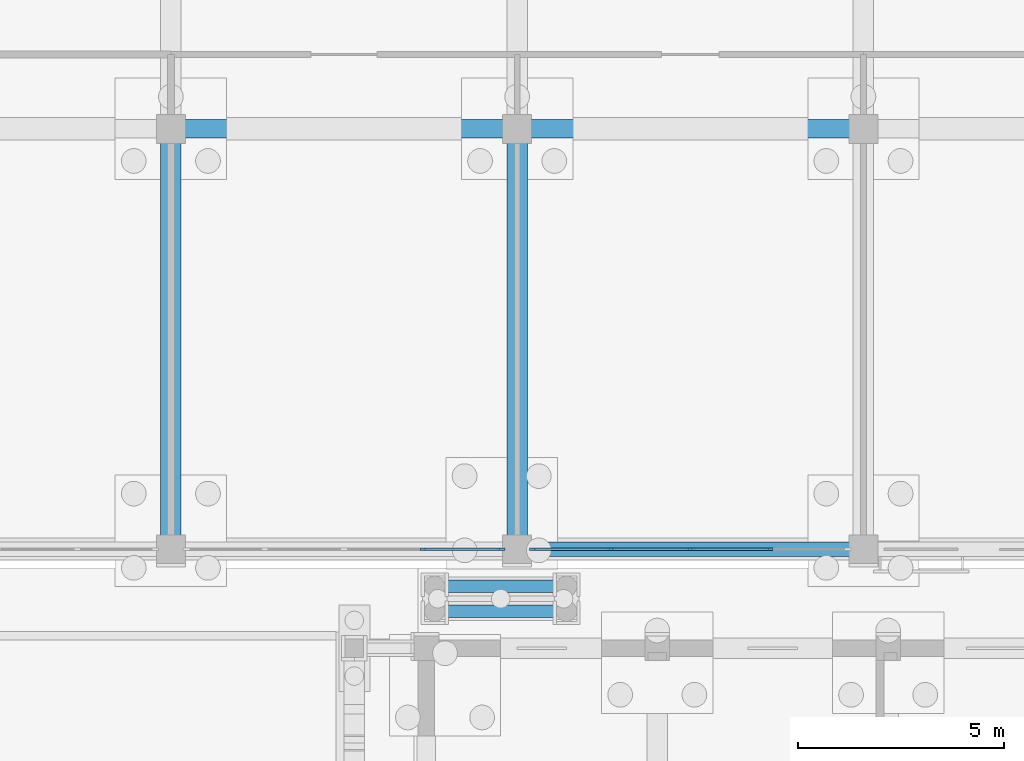
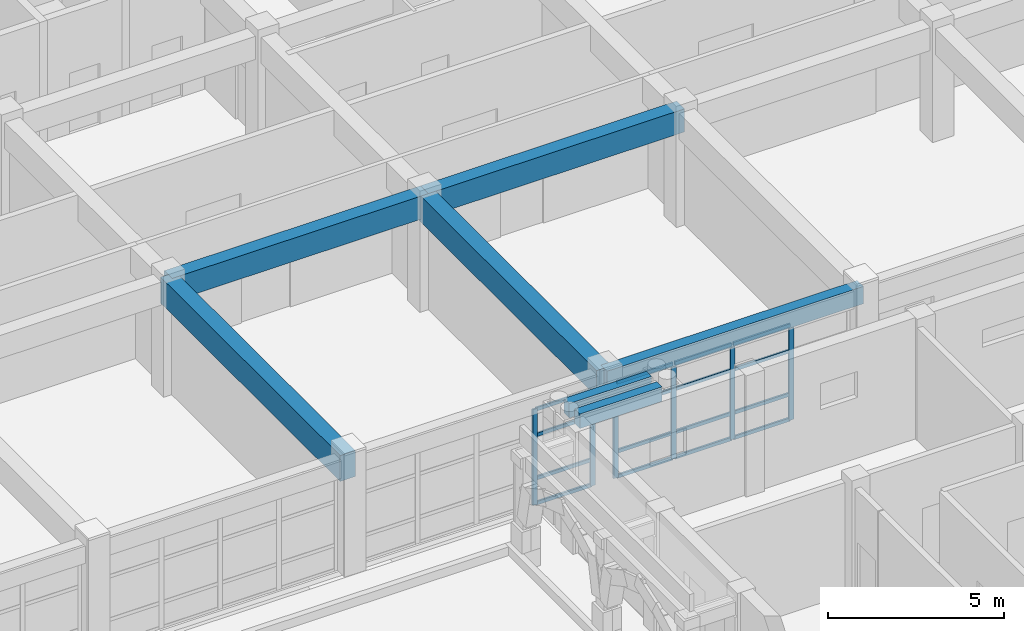
# One storey, part 38 of 112: 22 members, 7 beams, 2 elements without a shape of their own.
"""IFC4 building model written with IfcOpenShell, lengths in metres."""

from ifc_helpers import new_model, si_unit, direction, frame, origin, origin_2d, place, context, subcontext, project, spatial, rectangle, extrude, material, layer, layer_set, material_profile, profile_set, type_object, element, aggregate, save


model = new_model("IFC4")

# Units and contexts
model_context = context("Model", 3, precision=1e-05, world=origin(), true_north=direction((0.0, 1.0)))
body_context = subcontext(model_context, "Body", "Model", "MODEL_VIEW")
ifc_project = project(units=[si_unit("LENGTHUNIT", "METRE"), si_unit("AREAUNIT", "SQUARE_METRE"), si_unit("VOLUMEUNIT", "CUBIC_METRE"), si_unit("PLANEANGLEUNIT", "RADIAN"), si_unit("MASSUNIT", "GRAM", prefix="KILO")], contexts=[model_context])

# Site, building, storey
site_placement = place(None, origin())
site = spatial("IfcSite", under=ifc_project, at=site_placement, CompositionType="ELEMENT")
building_placement = place(site_placement, origin())
building = spatial("IfcBuilding", under=site, at=building_placement, Name="Wasatch Bagh Community Centre", CompositionType="ELEMENT")
storey_placement = place(building_placement, origin())
storey = spatial("IfcBuildingStorey", under=building, at=storey_placement, Name="L00", CompositionType="ELEMENT", Elevation=0.0)

# Beams
ifc_material_1 = material(Name="Concrete C35", Category="concrete")
ifc_material_profile_1 = material_profile(ifc_material_1, rectangle(XDim=0.35009765625, YDim=0.60009765625, at=origin_2d()), Name="RC 350x600")
ifc_profile_set_1 = profile_set([ifc_material_profile_1], Name="Concrete C35")
beam_type_1 = type_object("IfcBeamType", Name="LW RC 350x600", PredefinedType="BEAM", material=ifc_profile_set_1)
beam_1_placement = place(storey_placement, frame((114.39990234375, 68.199951171875, 3.6201171875), z_axis=(1.0, 0.0, 0.0), x_axis=(0.0, 1.0, 0.0)))
element("IfcBeam", 1, at=beam_1_placement, inside=storey, type_object=beam_type_1, Name="W7-W8Z", PredefinedType="BEAM", context=body_context, shape_type="SweptSolid", body=[
    extrude(rectangle(XDim=0.35009765625, YDim=0.60009765625, at=origin_2d()), origin(), (0.0, 0.0, 1.0), 8.400146484375),
])
ifc_material_profile_2 = material_profile(ifc_material_1, rectangle(XDim=0.449951171875, YDim=0.800048828125, at=origin_2d()), Name="RC 450x800")
ifc_profile_set_2 = profile_set([ifc_material_profile_2], Name="Concrete C35")
beam_type_2 = type_object("IfcBeamType", Name="LW RC 450x800", PredefinedType="BEAM", material=ifc_profile_set_2)
beam_2_placement = place(storey_placement, frame((106.0, 78.39990234375, 3.52001953125), z_axis=(1.0, 0.0, 0.0), x_axis=(0.0, 1.0, 0.0)))
element("IfcBeam", 2, at=beam_2_placement, inside=storey, type_object=beam_type_2, Name="W6-W7S", PredefinedType="BEAM", context=body_context, shape_type="SweptSolid", body=[
    extrude(rectangle(XDim=0.449951171875, YDim=0.800048828125, at=origin_2d()), origin(), (0.0, 0.0, 1.0), 8.39990234375),
])
beam_3_placement = place(storey_placement, frame((114.39990234375, 78.39990234375, 3.52001953125), z_axis=(1.0, 0.0, 0.0), x_axis=(0.0, 1.0, 0.0)))
element("IfcBeam", 3, at=beam_3_placement, inside=storey, type_object=beam_type_2, Name="W7-W8S", PredefinedType="BEAM", context=body_context, shape_type="SweptSolid", body=[
    extrude(rectangle(XDim=0.449951171875, YDim=0.800048828125, at=origin_2d()), origin(), (0.0, 0.0, 1.0), 8.400146484375),
])
ifc_material_profile_3 = material_profile(ifc_material_1, rectangle(XDim=0.5, YDim=0.89990234375, at=origin_2d()), Name="RC 500x900")
ifc_profile_set_3 = profile_set([ifc_material_profile_3], Name="Concrete C35")
beam_type_3 = type_object("IfcBeamType", Name="LW RC 500x900", PredefinedType="BEAM", material=ifc_profile_set_3)
for number, where, z_axis, x_axis, name in (
    (4, (106.0, 68.199951171875, 3.469970703125), (0.0, 1.0, 0.0), (-1.0, 0.0, 0.0), "W6Z-S"),
    (5, (114.39990234375, 68.199951171875, 3.469970703125), (0.0, 1.0, 0.0), (-1.0, 0.0, 0.0), "W7Z-S"),
):
    element("IfcBeam", number, at=place(storey_placement, frame(where, z_axis=z_axis, x_axis=x_axis)), inside=storey, type_object=beam_type_3, Name=name, PredefinedType="BEAM", context=body_context, shape_type="SweptSolid", body=[
        extrude(rectangle(XDim=0.5, YDim=0.89990234375, at=origin_2d()), origin(), (0.0, 0.0, 1.0), 10.199951171875),
    ])

# Curtain wall, members
ifc_material_2 = material(Name="Aluminium curtain wall frame with low-iron glass", Category="aluminium")
ifc_layer = layer(ifc_material_2, 0.139892578125)
ifc_layer_set = layer_set([ifc_layer], Name="Aluminium curtain wall frame with low-iron glass")
curtain_wall_type = type_object("IfcCurtainWallType", Name="LW terrace front curtain wall 140", PredefinedType="NOTDEFINED", material=ifc_layer_set)
curtain_wall_1_placement = place(storey_placement, origin())
curtain_wall_1 = element("IfcCurtainWall", 6, at=curtain_wall_1_placement, inside=storey, type_object=curtain_wall_type, Name="Curtain wall 00.04", PredefinedType="NOTDEFINED")
ifc_material_3 = material(Name="Aluminium extrusion", Category="aluminium")
ifc_material_profile_4 = material_profile(ifc_material_3, rectangle(XDim=0.06005859375, YDim=0.159912109375, at=origin_2d()), Name="AL 60x160")
ifc_profile_set_4 = profile_set([ifc_material_profile_4], Name="Aluminium extrusion")
member_type_1 = type_object("IfcMemberType", Name="LW curtain wall mullion 60x160 LW-CW3", PredefinedType="MULLION", material=ifc_profile_set_4)
member_1_placement = place(storey_placement, frame((112.125, 68.199951171875, 0.0), z_axis=(0.0, 0.0, 1.0), x_axis=(0.0, 1.0, 0.0)))
member_1 = element("IfcMember", 7, at=member_1_placement, type_object=member_type_1, Name="LW-CW3 mullion 4", PredefinedType="MULLION", context=body_context, shape_type="SweptSolid", body=[
    extrude(rectangle(XDim=0.06005859375, YDim=0.159912109375, at=origin_2d()), origin(), (0.0, 0.0, 1.0), 3.320068359375),
])
member_2_placement = place(storey_placement, frame((114.02001953125, 68.199951171875, 0.0), z_axis=(0.0, 0.0, 1.0), x_axis=(0.0, 1.0, 0.0)))
member_2 = element("IfcMember", 8, at=member_2_placement, type_object=member_type_1, Name="LW-CW3 mullion 5", PredefinedType="MULLION", context=body_context, shape_type="SweptSolid", body=[
    extrude(rectangle(XDim=0.06005859375, YDim=0.159912109375, at=origin_2d()), origin(), (0.0, 0.0, 1.0), 3.320068359375),
])

curtain_wall_2_placement = place(storey_placement, origin())
curtain_wall_2 = element("IfcCurtainWall", 9, at=curtain_wall_2_placement, inside=storey, type_object=curtain_wall_type, Name="Curtain wall 00.05", PredefinedType="NOTDEFINED")
member_3_placement = place(storey_placement, frame((114.780029296875, 68.199951171875, 0.0), z_axis=(0.0, 0.0, 1.0), x_axis=(0.0, 1.0, 0.0)))
member_3 = element("IfcMember", 10, at=member_3_placement, type_object=member_type_1, Name="LW-CW3 mullion 1", PredefinedType="MULLION", context=body_context, shape_type="SweptSolid", body=[
    extrude(rectangle(XDim=0.06005859375, YDim=0.159912109375, at=origin_2d()), origin(), (0.0, 0.0, 1.0), 3.320068359375),
])
member_4_placement = place(storey_placement, frame((116.675048828125, 68.199951171875, 0.0), z_axis=(0.0, 0.0, 1.0), x_axis=(0.0, 1.0, 0.0)))
member_4 = element("IfcMember", 11, at=member_4_placement, type_object=member_type_1, Name="LW-CW3 mullion 2", PredefinedType="MULLION", context=body_context, shape_type="SweptSolid", body=[
    extrude(rectangle(XDim=0.06005859375, YDim=0.159912109375, at=origin_2d()), origin(), (0.0, 0.0, 1.0), 3.320068359375),
])
member_5_placement = place(storey_placement, frame((118.60009765625, 68.199951171875, 0.0), z_axis=(0.0, 0.0, 1.0), x_axis=(0.0, 1.0, 0.0)))
member_5 = element("IfcMember", 12, at=member_5_placement, type_object=member_type_1, Name="LW-CW3 mullion 3", PredefinedType="MULLION", context=body_context, shape_type="SweptSolid", body=[
    extrude(rectangle(XDim=0.06005859375, YDim=0.159912109375, at=origin_2d()), origin(), (0.0, 0.0, 1.0), 3.320068359375),
])
member_6_placement = place(storey_placement, frame((120.52490234375, 68.199951171875, 0.0), z_axis=(0.0, 0.0, 1.0), x_axis=(0.0, 1.0, 0.0)))
member_6 = element("IfcMember", 13, at=member_6_placement, type_object=member_type_1, Name="LW-CW3 mullion 4", PredefinedType="MULLION", context=body_context, shape_type="SweptSolid", body=[
    extrude(rectangle(XDim=0.06005859375, YDim=0.159912109375, at=origin_2d()), origin(), (0.0, 0.0, 1.0), 3.320068359375),
])

# Member
ifc_material_profile_5 = material_profile(ifc_material_3, rectangle(XDim=0.06005859375, YDim=0.1201171875, at=origin_2d()), Name="AL 60x120")
ifc_profile_set_5 = profile_set([ifc_material_profile_5], Name="Aluminium extrusion")
member_type_2 = type_object("IfcMemberType", Name="LW curtain wall transom 60x120 LW-CW3", PredefinedType="USERDEFINED", material=ifc_profile_set_5)
member_7_placement = place(storey_placement, frame((112.155029296875, 68.199951171875, 0.030029296875), z_axis=(1.0, 0.0, 0.0), x_axis=(0.0, 1.0, 0.0)))
member_7 = element("IfcMember", 14, at=member_7_placement, type_object=member_type_2, Name="LW-CW3 transom 4.1", ObjectType="TRANSOM", PredefinedType="USERDEFINED", context=body_context, shape_type="SweptSolid", body=[
    extrude(rectangle(XDim=0.06005859375, YDim=0.1201171875, at=origin_2d()), origin(), (0.0, 0.0, 1.0), 1.8349609375),
])

member_8_placement = place(storey_placement, frame((112.155029296875, 68.199951171875, 0.89990234375), z_axis=(1.0, 0.0, 0.0), x_axis=(0.0, 1.0, 0.0)))
member_8 = element("IfcMember", 15, at=member_8_placement, type_object=member_type_2, Name="LW-CW3 transom 4.2", ObjectType="TRANSOM", PredefinedType="USERDEFINED", context=body_context, shape_type="SweptSolid", body=[
    extrude(rectangle(XDim=0.06005859375, YDim=0.1201171875, at=origin_2d()), origin(), (0.0, 0.0, 1.0), 1.8349609375),
])

member_9_placement = place(storey_placement, frame((112.155029296875, 68.199951171875, 2.39990234375), z_axis=(1.0, 0.0, 0.0), x_axis=(0.0, 1.0, 0.0)))
member_9 = element("IfcMember", 16, at=member_9_placement, type_object=member_type_2, Name="LW-CW3 transom 4.3", ObjectType="TRANSOM", PredefinedType="USERDEFINED", context=body_context, shape_type="SweptSolid", body=[
    extrude(rectangle(XDim=0.06005859375, YDim=0.1201171875, at=origin_2d()), origin(), (0.0, 0.0, 1.0), 1.8349609375),
])

member_10_placement = place(storey_placement, frame((112.155029296875, 68.199951171875, 3.2900390625), z_axis=(1.0, 0.0, 0.0), x_axis=(0.0, 1.0, 0.0)))
member_10 = element("IfcMember", 17, at=member_10_placement, type_object=member_type_2, Name="LW-CW3 transom 4.4", ObjectType="TRANSOM", PredefinedType="USERDEFINED", context=body_context, shape_type="SweptSolid", body=[
    extrude(rectangle(XDim=0.06005859375, YDim=0.1201171875, at=origin_2d()), origin(), (0.0, 0.0, 1.0), 1.8349609375),
])

aggregate(curtain_wall_1, [member_1, member_2, member_7, member_8, member_9, member_10])

member_11_placement = place(storey_placement, frame((114.81005859375, 68.199951171875, 0.030029296875), z_axis=(1.0, 0.0, 0.0), x_axis=(0.0, 1.0, 0.0)))
member_11 = element("IfcMember", 18, at=member_11_placement, type_object=member_type_2, Name="LW-CW3 transom 1.1", ObjectType="TRANSOM", PredefinedType="USERDEFINED", context=body_context, shape_type="SweptSolid", body=[
    extrude(rectangle(XDim=0.06005859375, YDim=0.1201171875, at=origin_2d()), origin(), (0.0, 0.0, 1.0), 1.8349609375),
])

member_12_placement = place(storey_placement, frame((114.81005859375, 68.199951171875, 0.89990234375), z_axis=(1.0, 0.0, 0.0), x_axis=(0.0, 1.0, 0.0)))
member_12 = element("IfcMember", 19, at=member_12_placement, type_object=member_type_2, Name="LW-CW3 transom 1.2", ObjectType="TRANSOM", PredefinedType="USERDEFINED", context=body_context, shape_type="SweptSolid", body=[
    extrude(rectangle(XDim=0.06005859375, YDim=0.1201171875, at=origin_2d()), origin(), (0.0, 0.0, 1.0), 1.8349609375),
])

member_13_placement = place(storey_placement, frame((114.81005859375, 68.199951171875, 2.39990234375), z_axis=(1.0, 0.0, 0.0), x_axis=(0.0, 1.0, 0.0)))
member_13 = element("IfcMember", 20, at=member_13_placement, type_object=member_type_2, Name="LW-CW3 transom 1.3", ObjectType="TRANSOM", PredefinedType="USERDEFINED", context=body_context, shape_type="SweptSolid", body=[
    extrude(rectangle(XDim=0.06005859375, YDim=0.1201171875, at=origin_2d()), origin(), (0.0, 0.0, 1.0), 1.8349609375),
])

member_14_placement = place(storey_placement, frame((114.81005859375, 68.199951171875, 3.2900390625), z_axis=(1.0, 0.0, 0.0), x_axis=(0.0, 1.0, 0.0)))
member_14 = element("IfcMember", 21, at=member_14_placement, type_object=member_type_2, Name="LW-CW3 transom 1.4", ObjectType="TRANSOM", PredefinedType="USERDEFINED", context=body_context, shape_type="SweptSolid", body=[
    extrude(rectangle(XDim=0.06005859375, YDim=0.1201171875, at=origin_2d()), origin(), (0.0, 0.0, 1.0), 1.8349609375),
])

member_15_placement = place(storey_placement, frame((116.705078125, 68.199951171875, 0.030029296875), z_axis=(1.0, 0.0, 0.0), x_axis=(0.0, 1.0, 0.0)))
member_15 = element("IfcMember", 22, at=member_15_placement, type_object=member_type_2, Name="LW-CW3 transom 2.1", ObjectType="TRANSOM", PredefinedType="USERDEFINED", context=body_context, shape_type="SweptSolid", body=[
    extrude(rectangle(XDim=0.06005859375, YDim=0.1201171875, at=origin_2d()), origin(), (0.0, 0.0, 1.0), 1.864990234375),
])

member_16_placement = place(storey_placement, frame((116.705078125, 68.199951171875, 0.89990234375), z_axis=(1.0, 0.0, 0.0), x_axis=(0.0, 1.0, 0.0)))
member_16 = element("IfcMember", 23, at=member_16_placement, type_object=member_type_2, Name="LW-CW3 transom 2.2", ObjectType="TRANSOM", PredefinedType="USERDEFINED", context=body_context, shape_type="SweptSolid", body=[
    extrude(rectangle(XDim=0.06005859375, YDim=0.1201171875, at=origin_2d()), origin(), (0.0, 0.0, 1.0), 1.864990234375),
])

member_17_placement = place(storey_placement, frame((116.705078125, 68.199951171875, 2.39990234375), z_axis=(1.0, 0.0, 0.0), x_axis=(0.0, 1.0, 0.0)))
member_17 = element("IfcMember", 24, at=member_17_placement, type_object=member_type_2, Name="LW-CW3 transom 2.3", ObjectType="TRANSOM", PredefinedType="USERDEFINED", context=body_context, shape_type="SweptSolid", body=[
    extrude(rectangle(XDim=0.06005859375, YDim=0.1201171875, at=origin_2d()), origin(), (0.0, 0.0, 1.0), 1.864990234375),
])

member_18_placement = place(storey_placement, frame((116.705078125, 68.199951171875, 3.2900390625), z_axis=(1.0, 0.0, 0.0), x_axis=(0.0, 1.0, 0.0)))
member_18 = element("IfcMember", 25, at=member_18_placement, type_object=member_type_2, Name="LW-CW3 transom 2.4", ObjectType="TRANSOM", PredefinedType="USERDEFINED", context=body_context, shape_type="SweptSolid", body=[
    extrude(rectangle(XDim=0.06005859375, YDim=0.1201171875, at=origin_2d()), origin(), (0.0, 0.0, 1.0), 1.864990234375),
])

member_19_placement = place(storey_placement, frame((118.6298828125, 68.199951171875, 0.030029296875), z_axis=(1.0, 0.0, 0.0), x_axis=(0.0, 1.0, 0.0)))
member_19 = element("IfcMember", 26, at=member_19_placement, type_object=member_type_2, Name="LW-CW3 transom 3.1", ObjectType="TRANSOM", PredefinedType="USERDEFINED", context=body_context, shape_type="SweptSolid", body=[
    extrude(rectangle(XDim=0.06005859375, YDim=0.1201171875, at=origin_2d()), origin(), (0.0, 0.0, 1.0), 1.865234375),
])

member_20_placement = place(storey_placement, frame((118.6298828125, 68.199951171875, 0.89990234375), z_axis=(1.0, 0.0, 0.0), x_axis=(0.0, 1.0, 0.0)))
member_20 = element("IfcMember", 27, at=member_20_placement, type_object=member_type_2, Name="LW-CW3 transom 3.2", ObjectType="TRANSOM", PredefinedType="USERDEFINED", context=body_context, shape_type="SweptSolid", body=[
    extrude(rectangle(XDim=0.06005859375, YDim=0.1201171875, at=origin_2d()), origin(), (0.0, 0.0, 1.0), 1.865234375),
])

member_21_placement = place(storey_placement, frame((118.6298828125, 68.199951171875, 2.39990234375), z_axis=(1.0, 0.0, 0.0), x_axis=(0.0, 1.0, 0.0)))
member_21 = element("IfcMember", 28, at=member_21_placement, type_object=member_type_2, Name="LW-CW3 transom 3.3", ObjectType="TRANSOM", PredefinedType="USERDEFINED", context=body_context, shape_type="SweptSolid", body=[
    extrude(rectangle(XDim=0.06005859375, YDim=0.1201171875, at=origin_2d()), origin(), (0.0, 0.0, 1.0), 1.865234375),
])

member_22_placement = place(storey_placement, frame((118.6298828125, 68.199951171875, 3.2900390625), z_axis=(1.0, 0.0, 0.0), x_axis=(0.0, 1.0, 0.0)))
member_22 = element("IfcMember", 29, at=member_22_placement, type_object=member_type_2, Name="LW-CW3 transom 3.4", ObjectType="TRANSOM", PredefinedType="USERDEFINED", context=body_context, shape_type="SweptSolid", body=[
    extrude(rectangle(XDim=0.06005859375, YDim=0.1201171875, at=origin_2d()), origin(), (0.0, 0.0, 1.0), 1.865234375),
])

aggregate(curtain_wall_2, [member_3, member_4, member_5, member_6, member_11, member_12, member_13, member_14, member_15, member_16, member_17, member_18, member_19, member_20, member_21, member_22])

# Beams
ifc_material_profile_6 = material_profile(ifc_material_1, rectangle(XDim=0.300048828125, YDim=0.5, at=origin_2d()), Name="RC 300x500")
ifc_profile_set_6 = profile_set([ifc_material_profile_6], Name="Concrete C35")
beam_type_4 = type_object("IfcBeamType", Name="PA-B1", PredefinedType="BEAM", material=ifc_profile_set_6)
for number, where, z_axis, x_axis, name in (
    (30, (112.64990234375, 66.699951171875, 3.68994140625), (1.0, 0.0, 0.0), (0.0, 1.0, 0.0), "PA-B1 beam PA3.3"),
    (31, (112.64990234375, 67.300048828125, 3.68994140625), (1.0, 0.0, 0.0), (0.0, 1.0, 0.0), "PA-B1 beam PA3.4"),
):
    element("IfcBeam", number, at=place(storey_placement, frame(where, z_axis=z_axis, x_axis=x_axis)), inside=storey, type_object=beam_type_4, Name=name, PredefinedType="BEAM", context=body_context, shape_type="SweptSolid", body=[
        extrude(rectangle(XDim=0.300048828125, YDim=0.5, at=origin_2d()), origin(), (0.0, 0.0, 1.0), 2.7001953125),
    ])

save(model, "model.ifc")
